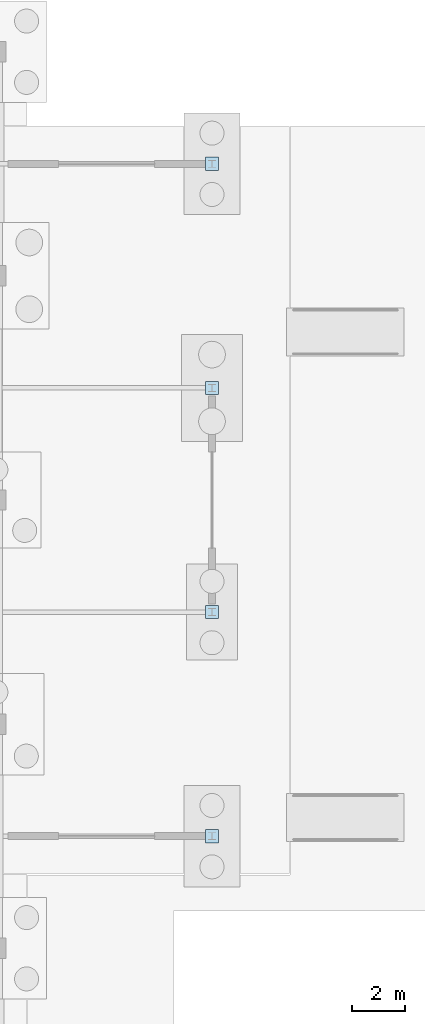
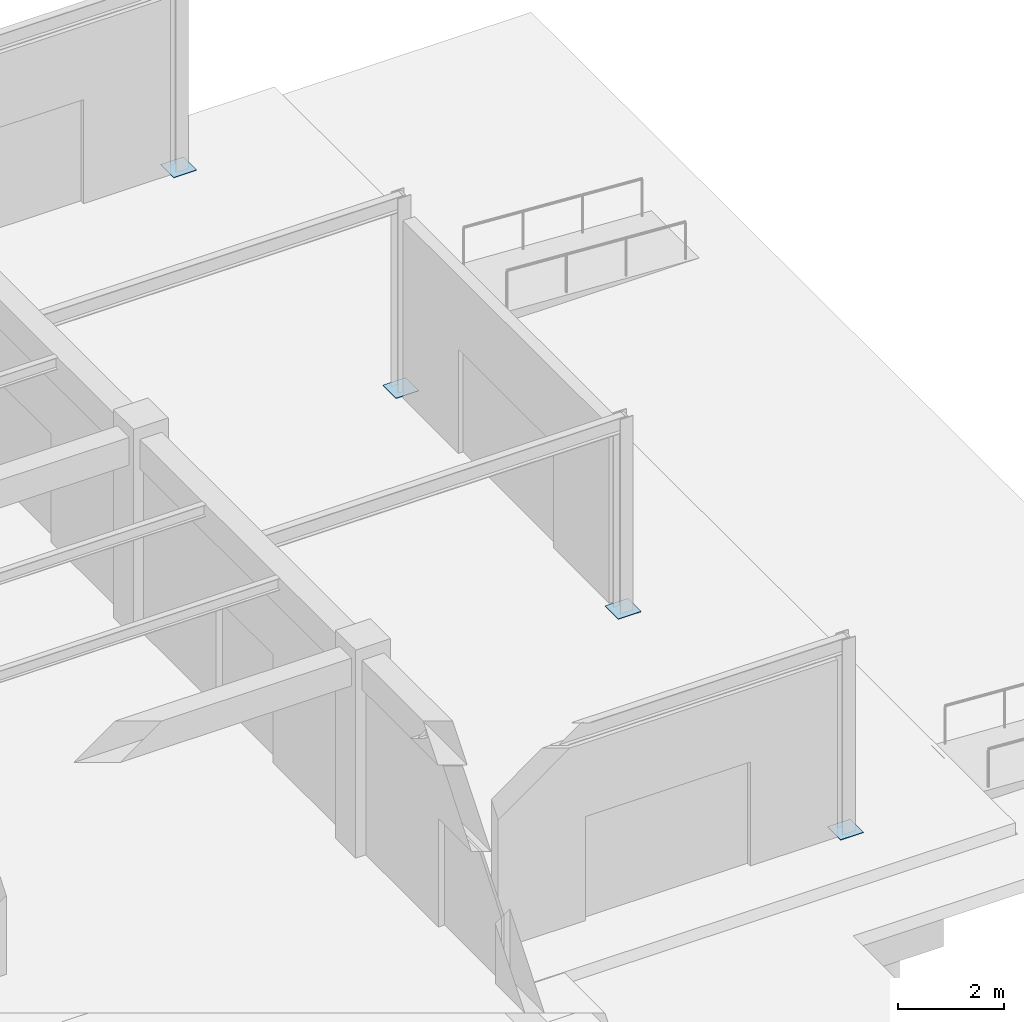
# One storey, part 148 of 192: 4 plates.
"""IFC4 building model written with IfcOpenShell, lengths in metres."""

from ifc_helpers import new_model, si_unit, direction, frame, origin, origin_2d, place, context, subcontext, project, spatial, rectangle, extrude, material, layer, layer_set, type_object, element, save


model = new_model("IFC4")

# Units and contexts
model_context = context("Model", 3, precision=1e-05, world=origin(), true_north=direction((0.0, 1.0)))
body_context = subcontext(model_context, "Body", "Model", "MODEL_VIEW")
ifc_project = project(units=[si_unit("LENGTHUNIT", "METRE"), si_unit("AREAUNIT", "SQUARE_METRE"), si_unit("VOLUMEUNIT", "CUBIC_METRE"), si_unit("PLANEANGLEUNIT", "RADIAN"), si_unit("MASSUNIT", "GRAM", prefix="KILO")], contexts=[model_context])

# Site, building, storey
site_placement = place(None, origin())
site = spatial("IfcSite", under=ifc_project, at=site_placement, CompositionType="ELEMENT")
building_placement = place(site_placement, origin())
building = spatial("IfcBuilding", under=site, at=building_placement, Name="Trelvath General Hospital", CompositionType="ELEMENT")
storey_placement = place(building_placement, origin())
storey = spatial("IfcBuildingStorey", under=building, at=storey_placement, Name="L00", CompositionType="ELEMENT", Elevation=0.0)

# Plates
ifc_material = material(Name="Steel S355", Category="steel")
ifc_layer = layer(ifc_material, 0.011962890625)
ifc_layer_set = layer_set([ifc_layer], Name="Steel S355")
plate_type = type_object("IfcPlateType", Name="GussetPlate Steel12", PredefinedType="SHEET", material=ifc_layer_set)
for number, where, z_axis, x_axis, name in (
    (1, (192.89990234375, 88.199951171875, 0.0), (0.0, 0.0, 1.0), (1.0, 0.0, 0.0), "Canopy Base Plate GP-01"),
    (2, (192.89990234375, 96.60009765625, 0.0), (0.0, 0.0, 1.0), (1.0, 0.0, 0.0), "Canopy Base Plate GP-02"),
    (3, (192.89990234375, 105.0, 0.0), (0.0, 0.0, 1.0), (1.0, 0.0, 0.0), "Canopy Base Plate GP-03"),
    (4, (192.89990234375, 113.39990234375, 0.0), (0.0, 0.0, 1.0), (1.0, 0.0, 0.0), "Canopy Base Plate GP-04"),
):
    element("IfcPlate", number, at=place(storey_placement, frame(where, z_axis=z_axis, x_axis=x_axis)), inside=storey, type_object=plate_type, Name=name, PredefinedType="SHEET", context=body_context, shape_type="SweptSolid", body=[
        extrude(rectangle(XDim=0.5, YDim=0.5, at=origin_2d()), origin(), (0.0, 0.0, 1.0), 0.011962890625),
    ])

save(model, "model.ifc")
